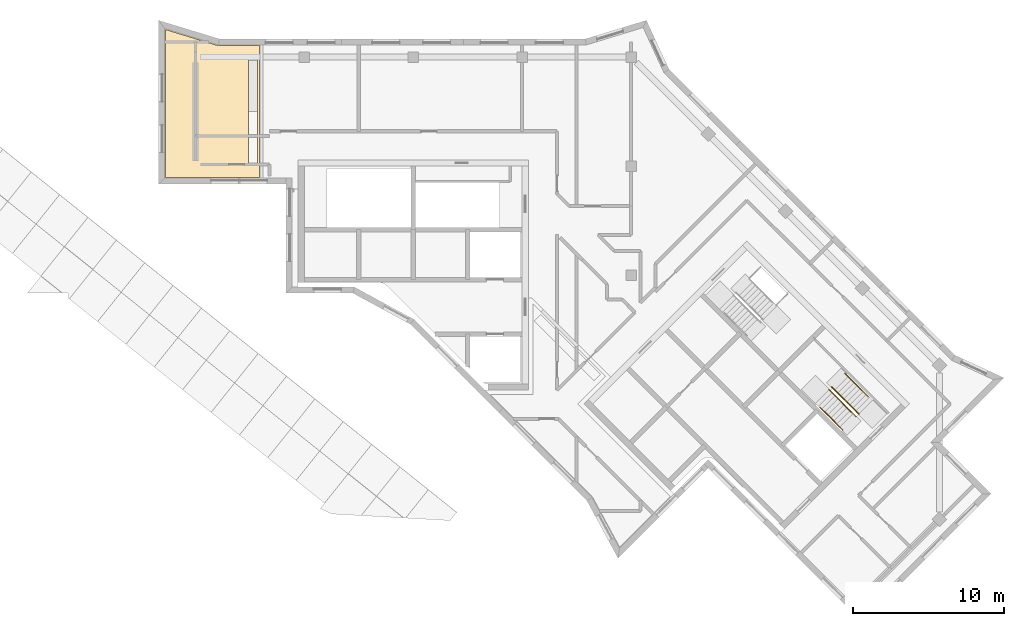
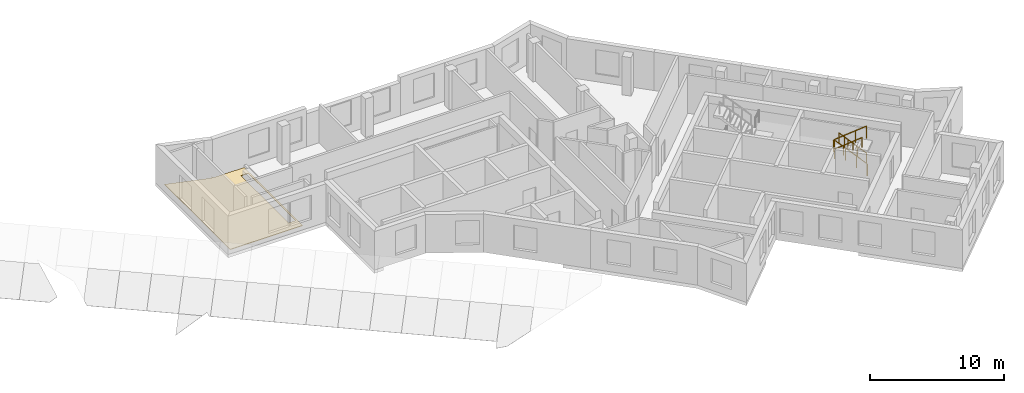
# One storey, part 8 of 8: 4 railings, 1 covering.
"""IFC4 building model written with IfcOpenShell, lengths in metres."""

from ifc_helpers import new_model, si_unit, direction, frame, origin, origin_2d, place, context, subcontext, project, spatial, polyline, circle, outline, extrude, material, layer, layer_set, type_object, element, save


model = new_model("IFC4")

# Units and contexts
model_context = context("Model", 3, precision=1e-05, world=origin(), true_north=direction((0.0, 1.0)))
body_context = subcontext(model_context, "Body", "Model", "MODEL_VIEW")
ifc_project = project(units=[si_unit("LENGTHUNIT", "METRE"), si_unit("AREAUNIT", "SQUARE_METRE"), si_unit("VOLUMEUNIT", "CUBIC_METRE"), si_unit("PLANEANGLEUNIT", "RADIAN"), si_unit("MASSUNIT", "GRAM", prefix="KILO")], contexts=[model_context])

# Site, building, storey
site_placement = place(None, origin())
site = spatial("IfcSite", under=ifc_project, at=site_placement, CompositionType="ELEMENT")
building_placement = place(site_placement, origin())
building = spatial("IfcBuilding", under=site, at=building_placement, Name="Windrow Commons", CompositionType="ELEMENT")
storey_placement = place(building_placement, frame((0.0, 0.0, 298.2)))
storey = spatial("IfcBuildingStorey", under=building, at=storey_placement, Name="L81", CompositionType="ELEMENT", Elevation=298.2)

# Railings
ifc_material_1 = material(Name="Steel S355", Category="steel")
railing_type_1 = type_object("IfcRailingType", Name="Core stair guard 1100", PredefinedType="GUARDRAIL", material=ifc_material_1)
railing_1_placement = place(storey_placement, frame((94.2296, 48.4215, 0.19)))
element("IfcRailing", 1, at=railing_1_placement, inside=storey, type_object=railing_type_1, Name="L81 ST-B2 stair guard 1", PredefinedType="GUARDRAIL", context=body_context, shape_type="SweptSolid", body=[
    extrude(circle(Radius=0.024, at=origin_2d()), frame((0.0, 0.0, 1.076), z_axis=(-0.5851343845, 0.5851015486, 0.5614925911), x_axis=(-0.7070869401, -0.7071266217, 0.0)), (0.0, 0.0, 1.0), 3.0455),
    extrude(circle(Radius=0.021, at=origin_2d()), origin(), (0.0, 0.0, 1.0), 1.052),
    extrude(circle(Radius=0.021, at=origin_2d()), frame((-0.594, 0.594, 0.57)), (0.0, 0.0, 1.0), 1.052),
    extrude(circle(Radius=0.021, at=origin_2d()), frame((-1.188, 1.1879, 1.14)), (0.0, 0.0, 1.0), 1.052),
    extrude(circle(Radius=0.021, at=origin_2d()), frame((-1.782, 1.7819, 1.71)), (0.0, 0.0, 1.0), 1.052),
])
railing_2_placement = place(storey_placement, frame((92.2709, 50.0267, 2.09)))
element("IfcRailing", 2, at=railing_2_placement, inside=storey, type_object=railing_type_1, Name="L81 ST-B2 stair guard 2", PredefinedType="GUARDRAIL", context=body_context, shape_type="SweptSolid", body=[
    extrude(circle(Radius=0.024, at=origin_2d()), frame((0.0, 0.0, 1.076), z_axis=(0.5851015486, -0.5851343845, 0.5614925911), x_axis=(0.7071266217, 0.7070869401, 0.0)), (0.0, 0.0, 1.0), 3.0455),
    extrude(circle(Radius=0.021, at=origin_2d()), origin(), (0.0, 0.0, 1.0), 1.052),
    extrude(circle(Radius=0.021, at=origin_2d()), frame((0.594, -0.594, 0.57)), (0.0, 0.0, 1.0), 1.052),
    extrude(circle(Radius=0.021, at=origin_2d()), frame((1.1879, -1.188, 1.14)), (0.0, 0.0, 1.0), 1.052),
    extrude(circle(Radius=0.021, at=origin_2d()), frame((1.7819, -1.782, 1.71)), (0.0, 0.0, 1.0), 1.052),
])
ifc_material_2 = material(Name="Steel S355", Category="steel")
railing_type_2 = type_object("IfcRailingType", Name="Core stair handrail 900", PredefinedType="HANDRAIL", material=ifc_material_2)
railing_3_placement = place(storey_placement, frame((94.8306, 49.5883, 0.4614)))
element("IfcRailing", 3, at=railing_3_placement, inside=storey, type_object=railing_type_2, Name="L81 ST-B2 stair handrail 1", PredefinedType="HANDRAIL", context=body_context, shape_type="SweptSolid", body=[
    extrude(circle(Radius=0.024, at=origin_2d()), frame((0.0, 0.0, 0.876), z_axis=(-0.5851275679, 0.5850885359, 0.561513254), x_axis=(-0.7070831956, -0.707130366, 0.0)), (0.0, 0.0, 1.0), 2.562),
    extrude(circle(Radius=0.021, at=origin_2d()), origin(), (0.0, 0.0, 1.0), 0.852),
    extrude(circle(Radius=0.021, at=origin_2d()), frame((-0.4997, 0.4997, 0.4795)), (0.0, 0.0, 1.0), 0.852),
    extrude(circle(Radius=0.021, at=origin_2d()), frame((-0.9994, 0.9993, 0.9591)), (0.0, 0.0, 1.0), 0.852),
    extrude(circle(Radius=0.021, at=origin_2d()), frame((-1.4991, 1.499, 1.4386)), (0.0, 0.0, 1.0), 0.852),
])
railing_4_placement = place(storey_placement, frame((91.6698, 48.8599, 2.3614)))
element("IfcRailing", 4, at=railing_4_placement, inside=storey, type_object=railing_type_2, Name="L81 ST-B2 stair handrail 2", PredefinedType="HANDRAIL", context=body_context, shape_type="SweptSolid", body=[
    extrude(circle(Radius=0.024, at=origin_2d()), frame((0.0, 0.0, 0.876), z_axis=(0.5851275679, -0.5850885359, 0.561513254), x_axis=(0.7070831956, 0.707130366, 0.0)), (0.0, 0.0, 1.0), 2.562),
    extrude(circle(Radius=0.021, at=origin_2d()), origin(), (0.0, 0.0, 1.0), 0.852),
    extrude(circle(Radius=0.021, at=origin_2d()), frame((0.4997, -0.4997, 0.4795)), (0.0, 0.0, 1.0), 0.852),
    extrude(circle(Radius=0.021, at=origin_2d()), frame((0.9994, -0.9993, 0.9591)), (0.0, 0.0, 1.0), 0.852),
    extrude(circle(Radius=0.021, at=origin_2d()), frame((1.4991, -1.499, 1.4386)), (0.0, 0.0, 1.0), 0.852),
])

# Covering
ifc_material_3 = material(Name="Granite pavers on waterproofing membrane", Category="masonry")
ifc_layer = layer(ifc_material_3, 0.05)
ifc_layer_set = layer_set([ifc_layer], Name="Terrace roofing 50")
covering_type = type_object("IfcCoveringType", Name="Terrace roofing 50", PredefinedType="ROOFING", material=ifc_layer_set)
covering_placement = place(storey_placement, origin())
element("IfcCovering", 5, at=covering_placement, inside=storey, type_object=covering_type, Name="Terrace roofing TR-L81-1", PredefinedType="ROOFING", context=body_context, shape_type="SweptSolid", body=[
    extrude(outline(polyline([(54.657, 72.75), (54.657, 64.05), (48.417, 64.05), (48.417, 73.8247), (51.8935, 72.7609), (51.9667, 73.0), (51.9667, 72.75), (54.657, 72.75)]), holes=[polyline([(54.527, 71.95), (53.907, 71.95), (53.907, 64.85), (54.527, 64.85), (54.527, 71.95)])]), origin(), (0.0, 0.0, 1.0), 0.05),
])

save(model, "model.ifc")
